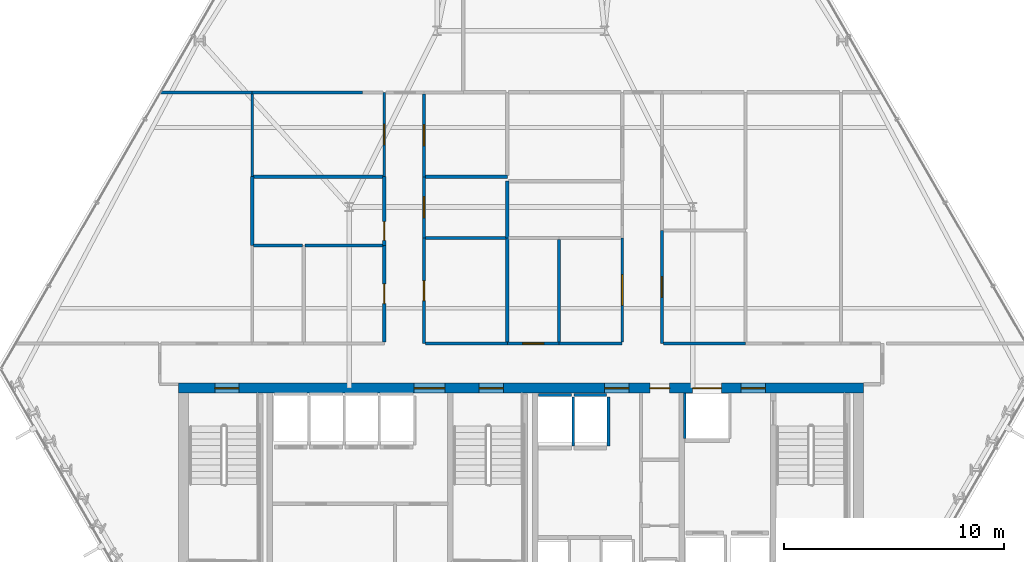
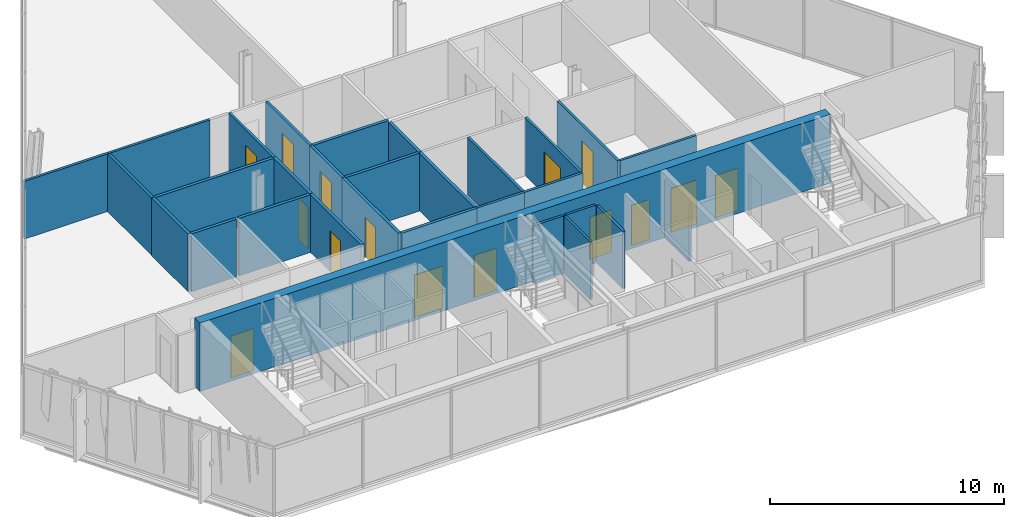
# One storey, part 26 of 32: 30 walls, 16 doors, 16 openings.
"""IFC4 building model written with IfcOpenShell, lengths in metres."""

import ifcopenshell
import ifcopenshell.guid

model = None  # the IFC model being written
_history = None  # IfcOwnerHistory: only IFC2X3 demands one
_inside = {}  # id of a spatial element -> (the spatial element, [elements in it])
_under = {}  # id of a project, library or spatial element -> (it, [spatial elements below it])
_declared = {}  # id of a project -> (the project, [libraries it declares])
_typed = {}  # id of a type object -> (the type object, [elements of that type])
_made_of = {}  # id of a material, layer set ... -> (it, [elements and type objects made of it])


def new_model(schema):
    """Start an empty IFC model of exactly this schema.

    Asked for "IFC4X3", IfcOpenShell would pick the latest addendum, in which some entities
    have other attributes; the version numbers below select the first issue.
    IFC2X3 requires an IfcOwnerHistory on every rooted entity: one is made here for all.
    """
    global model, _history
    if schema == "IFC4X3":
        model = ifcopenshell.file(schema_version=(4, 3, 0, 0))
    else:
        model = ifcopenshell.file(schema=schema)
    _inside.clear()
    _under.clear()
    _declared.clear()
    _typed.clear()
    _made_of.clear()
    _history = None
    if model.schema == "IFC2X3":
        org = make("IfcOrganization", Name="unknown")
        user = make(
            "IfcPersonAndOrganization",
            ThePerson=make("IfcPerson", FamilyName="unknown"),
            TheOrganization=org,
        )
        app = make(
            "IfcApplication",
            ApplicationDeveloper=org,
            Version="unknown",
            ApplicationFullName="unknown",
            ApplicationIdentifier="unknown",
        )
        _history = make(
            "IfcOwnerHistory",
            OwningUser=user,
            OwningApplication=app,
            ChangeAction="ADDED",
            CreationDate=0,
        )
    return model


def make(cls, **values):
    """One entity of the class cls with the attributes given. An attribute that is None is left unset."""
    return model.create_entity(
        cls, **{name: value for name, value in values.items() if value is not None}
    )


def rooted(cls, **values):
    """An entity with a GlobalId (a new one), such as an element, a storey or a relation."""
    return make(cls, GlobalId=ifcopenshell.guid.new(), OwnerHistory=_history, **values)


def si_unit(unit_type, name, prefix=None):
    """IfcSIUnit, for example si_unit("LENGTHUNIT", "METRE", prefix="MILLI")."""
    return make("IfcSIUnit", UnitType=unit_type, Prefix=prefix, Name=name)


def assignment(units):
    """IfcUnitAssignment: the units of a project."""
    return None if units is None else make("IfcUnitAssignment", Units=units)


def point(xyz):
    """IfcCartesianPoint."""
    return None if xyz is None else make("IfcCartesianPoint", Coordinates=xyz)


def direction(xyz):
    """IfcDirection."""
    return None if xyz is None else make("IfcDirection", DirectionRatios=xyz)


def frame(location, z_axis=None, x_axis=None):
    """IfcAxis2Placement3D, a coordinate frame: its origin and axes. An axis left out is left unset."""
    return make(
        "IfcAxis2Placement3D",
        Location=point(location),
        Axis=direction(z_axis),
        RefDirection=direction(x_axis),
    )


def frame_2d(location, x_axis=None):
    """IfcAxis2Placement2D, a coordinate frame in the plane: its origin and x axis."""
    return make(
        "IfcAxis2Placement2D", Location=point(location), RefDirection=direction(x_axis)
    )


def origin():
    """The frame at (0, 0, 0) with its axes left unset."""
    return frame((0.0, 0.0, 0.0))


def place(relative_to, where):
    """IfcLocalPlacement: puts the frame where relative to a parent placement (None: the world)."""
    return make(
        "IfcLocalPlacement", PlacementRelTo=relative_to, RelativePlacement=where
    )


def context(
    kind, dimensions, precision=None, world=None, true_north=None, identifier=None
):
    """IfcGeometricRepresentationContext, for example the 3D "Model" context."""
    return make(
        "IfcGeometricRepresentationContext",
        ContextIdentifier=identifier,
        ContextType=kind,
        CoordinateSpaceDimension=dimensions,
        Precision=precision,
        WorldCoordinateSystem=world,
        TrueNorth=true_north,
    )


def subcontext(parent, identifier, kind, view, scale=None):
    """IfcGeometricRepresentationSubContext, for example "Body" below "Model"."""
    return make(
        "IfcGeometricRepresentationSubContext",
        ContextIdentifier=identifier,
        ContextType=kind,
        ParentContext=parent,
        TargetScale=scale,
        TargetView=view,
    )


def project(units=None, contexts=None):
    """IfcProject with its units and contexts."""
    return rooted(
        "IfcProject",
        Name="project",
        RepresentationContexts=contexts,
        UnitsInContext=assignment(units),
    )


def spatial(cls, under=None, at=None, **own):
    """A site, building, storey or space (cls), placed at a placement, below another one or the project."""
    s = rooted(cls, ObjectPlacement=at, **own)
    if under is not None:
        _under.setdefault(under.id(), (under, []))[1].append(s)
    return s


def profile(cls, at=None, kind="AREA", **sizes):
    """A parametric profile (cls). Its sizes go by their IFC names, for example OverallWidth=200.0."""
    return make(cls, ProfileType=kind, Position=at, **sizes)


def rectangle(**sizes):
    """IfcRectangleProfileDef."""
    return profile("IfcRectangleProfileDef", **sizes)


def extrude(swept, where, along, depth):
    """IfcExtrudedAreaSolid: the profile swept, set in the frame where, extruded along a direction by depth."""
    return make(
        "IfcExtrudedAreaSolid",
        SweptArea=swept,
        Position=where,
        ExtrudedDirection=direction(along),
        Depth=depth,
    )


def shape(context_of_items, identifier, shape_type, items):
    """IfcShapeRepresentation: the items that make up one representation, for example the "Body"."""
    return make(
        "IfcShapeRepresentation",
        ContextOfItems=context_of_items,
        RepresentationIdentifier=identifier,
        RepresentationType=shape_type,
        Items=items,
    )


def material(Name=None, Category=None):
    """IfcMaterial."""
    return make("IfcMaterial", Name=Name, Category=Category)


def layer(
    of_material, thickness, ventilated=None, Name=None, Category=None, Priority=None
):
    """IfcMaterialLayer: one layer of a wall or slab, of a material (None: an air gap)."""
    return make(
        "IfcMaterialLayer",
        Material=of_material,
        LayerThickness=thickness,
        IsVentilated=ventilated,
        Name=Name,
        Category=Category,
        Priority=Priority,
    )


def layer_set(layers, Name=None):
    """IfcMaterialLayerSet."""
    return make("IfcMaterialLayerSet", MaterialLayers=layers, LayerSetName=Name)


def made_of(thing, what):
    """Note that an element or type object is made of a material, layer set ...; save() writes the relation."""
    if what is not None:
        _made_of.setdefault(what.id(), (what, []))[1].append(thing)
    return thing


def type_object(cls, material=None, **own):
    """A type object (cls), such as IfcWallType, which elements share."""
    return made_of(rooted(cls, **own), material)


def element(
    cls,
    number,
    at=None,
    inside=None,
    cuts=None,
    type_object=None,
    material=None,
    context=None,
    identifier="Body",
    shape_type=None,
    held_by="IfcProductDefinitionShape",
    body=None,
    shapes=None,
    **own,
):
    """One element of the class cls, such as IfcWall. Its Tag is "e" and its number.

    at: its placement. inside: the storey or other place that contains it. cuts: it is an
    opening in that element (IfcRelVoidsElement). A single representation is given by context,
    identifier, shape_type and body (its items); several are given by shapes. held_by: the class
    of the entity that holds the representations. save() writes the other relations.
    """
    e = rooted(cls, Tag="e%d" % number, ObjectPlacement=at, **own)
    if body is not None:
        shapes = [shape(context, identifier, shape_type, body)]
    if shapes is not None:
        e.Representation = make(held_by, Representations=shapes)
    if inside is not None:
        _inside.setdefault(inside.id(), (inside, []))[1].append(e)
    if cuts is not None:
        rooted(
            "IfcRelVoidsElement", RelatingBuildingElement=cuts, RelatedOpeningElement=e
        )
    if type_object is not None:
        _typed.setdefault(type_object.id(), (type_object, []))[1].append(e)
    return made_of(e, material)


def fill(opening, filler):
    """IfcRelFillsElement: the door or window that sits in an opening."""
    return rooted(
        "IfcRelFillsElement",
        RelatingOpeningElement=opening,
        RelatedBuildingElement=filler,
    )


def aggregate(whole, parts):
    """IfcRelAggregates: a whole, such as a stair, and the parts it consists of."""
    return rooted("IfcRelAggregates", RelatingObject=whole, RelatedObjects=parts)


def save(model, path):
    """Write the relations noted so far, then the file.

    IfcRelAggregates (storeys below a building ...), IfcRelContainedInSpatialStructure (elements
    in a storey), IfcRelDefinesByType, IfcRelAssociatesMaterial and IfcRelDeclares: one each for
    every whole, place, type object, material and project.
    """
    for whole, parts in _under.values():
        aggregate(whole, parts)
    for where, things in _inside.values():
        rooted(
            "IfcRelContainedInSpatialStructure",
            RelatedElements=things,
            RelatingStructure=where,
        )
    for kind, things in _typed.values():
        rooted("IfcRelDefinesByType", RelatedObjects=things, RelatingType=kind)
    for what, things in _made_of.values():
        rooted("IfcRelAssociatesMaterial", RelatedObjects=things, RelatingMaterial=what)
    for by, libraries in _declared.values():
        rooted("IfcRelDeclares", RelatingContext=by, RelatedDefinitions=libraries)
    model.write(path)


model = new_model("IFC4")

# Units and contexts
model_context = context("Model", 3, precision=1e-05, world=origin(), true_north=direction((0.0, 1.0)))
body_context = subcontext(model_context, "Body", "Model", "MODEL_VIEW")
ifc_project = project(units=[si_unit("LENGTHUNIT", "METRE"), si_unit("AREAUNIT", "SQUARE_METRE"), si_unit("VOLUMEUNIT", "CUBIC_METRE"), si_unit("PLANEANGLEUNIT", "RADIAN"), si_unit("MASSUNIT", "GRAM", prefix="KILO")], contexts=[model_context])

# Site, building, storey
site_placement = place(None, origin())
site = spatial("IfcSite", under=ifc_project, at=site_placement, CompositionType="ELEMENT")
building_placement = place(site_placement, origin())
building = spatial("IfcBuilding", under=site, at=building_placement, Name="Ndaravel Arena Tower", CompositionType="ELEMENT")
storey_placement = place(building_placement, frame((0.0, 0.0, 134.60009765625)))
storey = spatial("IfcBuildingStorey", under=building, at=storey_placement, Name="L31", CompositionType="ELEMENT", Elevation=134.60009765625)

# Wall, openings, doors
ifc_material_1 = material(Name="Concrete C60/75", Category="concrete")
ifc_layer_1 = layer(ifc_material_1, 0.449951171875)
ifc_layer_set_1 = layer_set([ifc_layer_1], Name="Concrete C60/75")
wall_type_1 = type_object("IfcWallType", Name="WALL-CORE-450", PredefinedType="SOLIDWALL", material=ifc_layer_set_1)
wall_1_placement = place(storey_placement, frame((26.449951171875, 14.97509765625, 0.0), z_axis=(0.0, 0.0, 1.0), x_axis=(1.0, 0.0, 0.0)))
wall_1 = element("IfcWall", 1, at=wall_1_placement, inside=storey, type_object=wall_type_1, Name="L31 Core North Shear Wall", PredefinedType="SOLIDWALL", context=body_context, shape_type="SweptSolid", body=[
    extrude(rectangle(XDim=31.10009765625, YDim=0.449951171875, at=frame_2d((15.550048828125, 0.0))), origin(), (0.0, 0.0, 1.0), 3.579833984375),
])
opening_1_placement = place(wall_1_placement, frame((1.64990234375, 0.0, 0.0)))
opening_1 = element("IfcOpeningElement", 2, at=opening_1_placement, cuts=wall_1, Name="Opening FD-01", PredefinedType="OPENING", context=body_context, shape_type="SweptSolid", body=[
    extrude(rectangle(XDim=1.10009765625, YDim=2.199951171875, at=frame_2d((0.550048828125, 1.10009765625))), frame((0.0, 0.22509765625, 0.0), z_axis=(0.0, -1.0, 0.0), x_axis=(1.0, 0.0, 0.0)), (0.0, 0.0, 1.0), 0.449951171875),
])
opening_2_placement = place(wall_1_placement, frame((13.64990234375, 0.0, 0.0)))
opening_2 = element("IfcOpeningElement", 3, at=opening_2_placement, cuts=wall_1, Name="Opening FD-01", PredefinedType="OPENING", context=body_context, shape_type="SweptSolid", body=[
    extrude(rectangle(XDim=1.10009765625, YDim=2.199951171875, at=frame_2d((0.550048828125, 1.10009765625))), frame((0.0, 0.22509765625, 0.0), z_axis=(0.0, -1.0, 0.0), x_axis=(1.0, 0.0, 0.0)), (0.0, 0.0, 1.0), 0.449951171875),
])
opening_3_placement = place(wall_1_placement, frame((25.550048828125, 0.0, 0.0)))
opening_3 = element("IfcOpeningElement", 4, at=opening_3_placement, cuts=wall_1, Name="Opening FD-01", PredefinedType="OPENING", context=body_context, shape_type="SweptSolid", body=[
    extrude(rectangle(XDim=1.10009765625, YDim=2.199951171875, at=frame_2d((0.550048828125, 1.10009765625))), frame((0.0, 0.22509765625, 0.0), z_axis=(0.0, -1.0, 0.0), x_axis=(1.0, 0.0, 0.0)), (0.0, 0.0, 1.0), 0.449951171875),
])
opening_4_placement = place(wall_1_placement, frame((10.699951171875, 0.0, 0.0)))
opening_4 = element("IfcOpeningElement", 5, at=opening_4_placement, cuts=wall_1, Name="Opening ID-02", PredefinedType="OPENING", context=body_context, shape_type="SweptSolid", body=[
    extrude(rectangle(XDim=1.39990234375, YDim=2.199951171875, at=frame_2d((0.699951171875, 1.10009765625))), frame((0.0, 0.22509765625, 0.0), z_axis=(0.0, -1.0, 0.0), x_axis=(1.0, 0.0, 0.0)), (0.0, 0.0, 1.0), 0.449951171875),
])
opening_5_placement = place(wall_1_placement, frame((19.35009765625, 0.0, 0.0)))
opening_5 = element("IfcOpeningElement", 6, at=opening_5_placement, cuts=wall_1, Name="Opening FD-01", PredefinedType="OPENING", context=body_context, shape_type="SweptSolid", body=[
    extrude(rectangle(XDim=1.10009765625, YDim=2.199951171875, at=frame_2d((0.550048828125, 1.10009765625))), frame((0.0, 0.22509765625, 0.0), z_axis=(0.0, -1.0, 0.0), x_axis=(1.0, 0.0, 0.0)), (0.0, 0.0, 1.0), 0.449951171875),
])
opening_6_placement = place(wall_1_placement, frame((21.39990234375, 0.0, 0.0)))
opening_6 = element("IfcOpeningElement", 7, at=opening_6_placement, cuts=wall_1, Name="Opening RD-01", PredefinedType="OPENING", context=body_context, shape_type="SweptSolid", body=[
    extrude(rectangle(XDim=0.89990234375, YDim=2.10009765625, at=frame_2d((0.449951171875, 1.050048828125))), frame((0.0, 0.22509765625, 0.0), z_axis=(0.0, -1.0, 0.0), x_axis=(1.0, 0.0, 0.0)), (0.0, 0.0, 1.0), 0.449951171875),
])
opening_7_placement = place(wall_1_placement, frame((23.35009765625, 0.0, 0.0)))
opening_7 = element("IfcOpeningElement", 8, at=opening_7_placement, cuts=wall_1, Name="Opening LD-02", PredefinedType="OPENING", context=body_context, shape_type="SweptSolid", body=[
    extrude(rectangle(XDim=1.300048828125, YDim=2.300048828125, at=frame_2d((0.64990234375, 1.14990234375))), frame((0.0, 0.22509765625, 0.0), z_axis=(0.0, -1.0, 0.0), x_axis=(1.0, 0.0, 0.0)), (0.0, 0.0, 1.0), 0.449951171875),
])
ifc_material_2 = material(Name="Steel S355", Category="steel")
door_type_1 = type_object("IfcDoorType", Name="DT-01-STAIR-1100", OperationType="SINGLE_SWING_LEFT", PredefinedType="DOOR", material=ifc_material_2)
door_1_placement = place(opening_1_placement, origin())
door_1 = element("IfcDoor", 9, at=door_1_placement, inside=storey, type_object=door_type_1, Name="L31 Exit Stair ST-1 Door", OperationType="SINGLE_SWING_RIGHT", OverallHeight=2.199951171875, OverallWidth=1.10009765625, PredefinedType="DOOR", context=body_context, shape_type="SweptSolid", body=[
    extrude(rectangle(XDim=1.10009765625, YDim=2.199951171875, at=frame_2d((0.550048828125, 1.10009765625))), frame((0.0, 0.02490234375, 0.0), z_axis=(0.0, -1.0, 0.0), x_axis=(1.0, 0.0, 0.0)), (0.0, 0.0, 1.0), 0.050048828125),
])
fill(opening_1, door_1)
door_2_placement = place(opening_2_placement, origin())
door_2 = element("IfcDoor", 10, at=door_2_placement, inside=storey, type_object=door_type_1, Name="L31 Exit Stair ST-2 Door", OperationType="SINGLE_SWING_LEFT", OverallHeight=2.199951171875, OverallWidth=1.10009765625, PredefinedType="DOOR", context=body_context, shape_type="SweptSolid", body=[
    extrude(rectangle(XDim=1.10009765625, YDim=2.199951171875, at=frame_2d((0.550048828125, 1.10009765625))), frame((0.0, 0.02490234375, 0.0), z_axis=(0.0, -1.0, 0.0), x_axis=(1.0, 0.0, 0.0)), (0.0, 0.0, 1.0), 0.050048828125),
])
fill(opening_2, door_2)
door_3_placement = place(opening_3_placement, origin())
door_3 = element("IfcDoor", 11, at=door_3_placement, inside=storey, type_object=door_type_1, Name="L31 Firefighting Lift Lobby Door", OperationType="SINGLE_SWING_RIGHT", OverallHeight=2.199951171875, OverallWidth=1.10009765625, PredefinedType="DOOR", context=body_context, shape_type="SweptSolid", body=[
    extrude(rectangle(XDim=1.10009765625, YDim=2.199951171875, at=frame_2d((0.550048828125, 1.10009765625))), frame((0.0, 0.02490234375, 0.0), z_axis=(0.0, -1.0, 0.0), x_axis=(1.0, 0.0, 0.0)), (0.0, 0.0, 1.0), 0.050048828125),
])
fill(opening_3, door_3)
door_4_placement = place(opening_5_placement, origin())
door_4 = element("IfcDoor", 12, at=door_4_placement, inside=storey, type_object=door_type_1, Name="L31 Express Lift Lobby Entry Door", OperationType="SINGLE_SWING_LEFT", OverallHeight=2.199951171875, OverallWidth=1.10009765625, PredefinedType="DOOR", context=body_context, shape_type="SweptSolid", body=[
    extrude(rectangle(XDim=1.10009765625, YDim=2.199951171875, at=frame_2d((0.550048828125, 1.10009765625))), frame((0.0, 0.02490234375, 0.0), z_axis=(0.0, -1.0, 0.0), x_axis=(1.0, 0.0, 0.0)), (0.0, 0.0, 1.0), 0.050048828125),
])
fill(opening_5, door_4)
ifc_material_3 = material(Name="Timber", Category="wood")
door_type_2 = type_object("IfcDoorType", Name="DT-04-SUITE-1400", OperationType="DOUBLE_DOOR_SINGLE_SWING", PredefinedType="DOOR", material=ifc_material_3)
door_5_placement = place(opening_4_placement, origin())
door_5 = element("IfcDoor", 13, at=door_5_placement, inside=storey, type_object=door_type_2, Name="L31 West Lift Lobby Entry Door", OperationType="DOUBLE_DOOR_SINGLE_SWING", OverallHeight=2.199951171875, OverallWidth=1.39990234375, PredefinedType="DOOR", context=body_context, shape_type="SweptSolid", body=[
    extrude(rectangle(XDim=1.39990234375, YDim=2.199951171875, at=frame_2d((0.699951171875, 1.10009765625))), frame((0.0, 0.02490234375, 0.0), z_axis=(0.0, -1.0, 0.0), x_axis=(1.0, 0.0, 0.0)), (0.0, 0.0, 1.0), 0.050048828125),
])
fill(opening_4, door_5)
ifc_material_4 = material(Name="Steel S355", Category="steel")
door_type_3 = type_object("IfcDoorType", Name="DT-07-SVLIFT-1300", OperationType="DOUBLE_DOOR_SLIDING", PredefinedType="DOOR", material=ifc_material_4)
door_6_placement = place(opening_7_placement, origin())
door_6 = element("IfcDoor", 14, at=door_6_placement, inside=storey, type_object=door_type_3, Name="L31 Lift SVL-1 Sliding Landing Door", OperationType="DOUBLE_DOOR_SLIDING", OverallHeight=2.300048828125, OverallWidth=1.300048828125, PredefinedType="DOOR", context=body_context, shape_type="SweptSolid", body=[
    extrude(rectangle(XDim=1.300048828125, YDim=2.300048828125, at=frame_2d((0.64990234375, 1.14990234375))), frame((0.0, 0.02490234375, 0.0), z_axis=(0.0, -1.0, 0.0), x_axis=(1.0, 0.0, 0.0)), (0.0, 0.0, 1.0), 0.050048828125),
])
fill(opening_7, door_6)
ifc_material_5 = material(Name="Steel S355", Category="steel")
door_type_4 = type_object("IfcDoorType", Name="DT-08-RISER-900", OperationType="SINGLE_SWING_LEFT", PredefinedType="DOOR", material=ifc_material_5)
door_7_placement = place(opening_6_placement, origin())
door_7 = element("IfcDoor", 15, at=door_7_placement, inside=storey, type_object=door_type_4, Name="L31 Core Service Riser North Door", OperationType="SINGLE_SWING_LEFT", OverallHeight=2.10009765625, OverallWidth=0.89990234375, PredefinedType="DOOR", context=body_context, shape_type="SweptSolid", body=[
    extrude(rectangle(XDim=0.89990234375, YDim=2.10009765625, at=frame_2d((0.449951171875, 1.050048828125))), frame((0.0, 0.02490234375, 0.0), z_axis=(0.0, -1.0, 0.0), x_axis=(1.0, 0.0, 0.0)), (0.0, 0.0, 1.0), 0.050048828125),
])
fill(opening_6, door_7)

# Wall, opening, door
ifc_material_6 = material(Name="Gypsum", Category="gypsum")
ifc_layer_2 = layer(ifc_material_6, 0.125)
ifc_layer_set_2 = layer_set([ifc_layer_2], Name="Gypsum")
wall_type_2 = type_object("IfcWallType", Name="WALL-PART-125", PredefinedType="PARTITIONING", material=ifc_layer_set_2)
wall_2_placement = place(storey_placement, frame((35.800048828125, 24.5751953125, 0.0), z_axis=(0.0, 0.0, 1.0), x_axis=(0.0, 1.0, 0.0)))
wall_2 = element("IfcWall", 16, at=wall_2_placement, inside=storey, type_object=wall_type_2, Name="L31 Interior Partition 010", PredefinedType="PARTITIONING", context=body_context, shape_type="SweptSolid", body=[
    extrude(rectangle(XDim=3.82470703125, YDim=0.125, at=frame_2d((1.912353515625, 0.0))), origin(), (0.0, 0.0, 1.0), 3.010498046875),
])
opening_8_placement = place(wall_2_placement, frame((1.437255859375, 0.0, 0.0)))
opening_8 = element("IfcOpeningElement", 17, at=opening_8_placement, cuts=wall_2, Name="Opening ID-01", PredefinedType="OPENING", context=body_context, shape_type="SweptSolid", body=[
    extrude(rectangle(XDim=0.949951171875, YDim=2.199951171875, at=frame_2d((0.47509765625, 1.10009765625))), frame((0.0, 0.0625, 0.0), z_axis=(0.0, -1.0, 0.0), x_axis=(1.0, 0.0, 0.0)), (0.0, 0.0, 1.0), 0.125),
])
ifc_material_7 = material(Name="Timber", Category="wood")
door_type_5 = type_object("IfcDoorType", Name="DT-03-OFFICE-950", OperationType="SINGLE_SWING_LEFT", PredefinedType="DOOR", material=ifc_material_7)
door_8_placement = place(opening_8_placement, origin())
door_8 = element("IfcDoor", 18, at=door_8_placement, inside=storey, type_object=door_type_5, Name="L31 Barista Galley 7 Door", OperationType="SINGLE_SWING_LEFT", OverallHeight=2.199951171875, OverallWidth=0.949951171875, PredefinedType="DOOR", context=body_context, shape_type="SweptSolid", body=[
    extrude(rectangle(XDim=0.949951171875, YDim=2.199951171875, at=frame_2d((0.47509765625, 1.10009765625))), frame((0.0, 0.02490234375, 0.0), z_axis=(0.0, -1.0, 0.0), x_axis=(1.0, 0.0, 0.0)), (0.0, 0.0, 1.0), 0.050048828125),
])
fill(opening_8, door_8)

wall_3_placement = place(storey_placement, frame((37.60009765625, 28.3349609375, 0.0), z_axis=(0.0, 0.0, 1.0), x_axis=(0.0, -1.0, 0.0)))
wall_3 = element("IfcWall", 19, at=wall_3_placement, inside=storey, type_object=wall_type_2, Name="L31 Interior Partition 012", PredefinedType="PARTITIONING", context=body_context, shape_type="SweptSolid", body=[
    extrude(rectangle(XDim=3.77001953125, YDim=0.125, at=frame_2d((1.885009765625, 0.0))), origin(), (0.0, 0.0, 1.0), 3.010498046875),
])
opening_9_placement = place(wall_3_placement, frame((1.409912109375, 0.0, 0.0)))
opening_9 = element("IfcOpeningElement", 20, at=opening_9_placement, cuts=wall_3, Name="Opening ID-01", PredefinedType="OPENING", context=body_context, shape_type="SweptSolid", body=[
    extrude(rectangle(XDim=0.949951171875, YDim=2.199951171875, at=frame_2d((0.47509765625, 1.10009765625))), frame((0.0, 0.0625, 0.0), z_axis=(0.0, -1.0, 0.0), x_axis=(1.0, 0.0, 0.0)), (0.0, 0.0, 1.0), 0.125),
])
door_9_placement = place(opening_9_placement, origin())
door_9 = element("IfcDoor", 21, at=door_9_placement, inside=storey, type_object=door_type_5, Name="L31 Project Seminar Room 7 Door", OperationType="SINGLE_SWING_RIGHT", OverallHeight=2.199951171875, OverallWidth=0.949951171875, PredefinedType="DOOR", context=body_context, shape_type="SweptSolid", body=[
    extrude(rectangle(XDim=0.949951171875, YDim=2.199951171875, at=frame_2d((0.47509765625, 1.10009765625))), frame((0.0, 0.02490234375, 0.0), z_axis=(0.0, -1.0, 0.0), x_axis=(1.0, 0.0, 0.0)), (0.0, 0.0, 1.0), 0.050048828125),
])
fill(opening_9, door_9)

wall_4_placement = place(storey_placement, frame((41.3798828125, 17.0, 0.0), z_axis=(0.0, 0.0, 1.0), x_axis=(1.0, 0.0, 0.0)))
wall_4 = element("IfcWall", 22, at=wall_4_placement, inside=storey, type_object=wall_type_2, Name="L31 Interior Partition 016", PredefinedType="PARTITIONING", context=body_context, shape_type="SweptSolid", body=[
    extrude(rectangle(XDim=2.34912109375, YDim=0.125, at=frame_2d((1.174560546875, 0.0))), origin(), (0.0, 0.0, 1.0), 3.010498046875),
])
opening_10_placement = place(wall_4_placement, frame((0.699462890625, 0.0, 0.0)))
opening_10 = element("IfcOpeningElement", 23, at=opening_10_placement, cuts=wall_4, Name="Opening ID-01", PredefinedType="OPENING", context=body_context, shape_type="SweptSolid", body=[
    extrude(rectangle(XDim=0.949951171875, YDim=2.199951171875, at=frame_2d((0.47509765625, 1.10009765625))), frame((0.0, 0.0625, 0.0), z_axis=(0.0, -1.0, 0.0), x_axis=(1.0, 0.0, 0.0)), (0.0, 0.0, 1.0), 0.125),
])
door_10_placement = place(opening_10_placement, origin())
door_10 = element("IfcDoor", 24, at=door_10_placement, inside=storey, type_object=door_type_5, Name="L31 Open Plan Workplace Door", OperationType="SINGLE_SWING_LEFT", OverallHeight=2.199951171875, OverallWidth=0.949951171875, PredefinedType="DOOR", context=body_context, shape_type="SweptSolid", body=[
    extrude(rectangle(XDim=0.949951171875, YDim=2.199951171875, at=frame_2d((0.47509765625, 1.10009765625))), frame((0.0, 0.02490234375, 0.0), z_axis=(0.0, -1.0, 0.0), x_axis=(1.0, 0.0, 0.0)), (0.0, 0.0, 1.0), 0.050048828125),
])
fill(opening_10, door_10)

# Wall
wall_5_placement = place(storey_placement, frame((43.72900390625, 17.0, 0.0), z_axis=(0.0, 0.0, 1.0), x_axis=(1.0, 0.0, 0.0)))
element("IfcWall", 25, at=wall_5_placement, inside=storey, type_object=wall_type_2, Name="L31 Interior Partition 017", PredefinedType="PARTITIONING", context=body_context, shape_type="SweptSolid", body=[
    extrude(rectangle(XDim=2.87109375, YDim=0.125, at=frame_2d((1.435546875, 0.0))), origin(), (0.0, 0.0, 1.0), 3.010498046875),
])

# Wall, opening, door
wall_6_placement = place(storey_placement, frame((46.60009765625, 17.06494140625, 0.0), z_axis=(0.0, 0.0, 1.0), x_axis=(0.0, 1.0, 0.0)))
wall_6 = element("IfcWall", 26, at=wall_6_placement, inside=storey, type_object=wall_type_2, Name="L31 Interior Partition 018", PredefinedType="PARTITIONING", context=body_context, shape_type="SweptSolid", body=[
    extrude(rectangle(XDim=4.72314453125, YDim=0.125, at=frame_2d((2.361572265625, 0.0))), origin(), (0.0, 0.0, 1.0), 3.010498046875),
])
opening_11_placement = place(wall_6_placement, frame((1.66162109375, 0.0, 0.0)))
opening_11 = element("IfcOpeningElement", 27, at=opening_11_placement, cuts=wall_6, Name="Opening ID-02", PredefinedType="OPENING", context=body_context, shape_type="SweptSolid", body=[
    extrude(rectangle(XDim=1.39990234375, YDim=2.199951171875, at=frame_2d((0.699951171875, 1.10009765625))), frame((0.0, 0.0625, 0.0), z_axis=(0.0, -1.0, 0.0), x_axis=(1.0, 0.0, 0.0)), (0.0, 0.0, 1.0), 0.125),
])
door_11_placement = place(opening_11_placement, origin())
door_11 = element("IfcDoor", 28, at=door_11_placement, inside=storey, type_object=door_type_2, Name="L31 Client Conference Room 2 Door", OperationType="SINGLE_SWING_RIGHT", OverallHeight=2.199951171875, OverallWidth=1.39990234375, PredefinedType="DOOR", context=body_context, shape_type="SweptSolid", body=[
    extrude(rectangle(XDim=1.39990234375, YDim=2.199951171875, at=frame_2d((0.699951171875, 1.10009765625))), frame((0.0, 0.02490234375, 0.0), z_axis=(0.0, -1.0, 0.0), x_axis=(1.0, 0.0, 0.0)), (0.0, 0.0, 1.0), 0.050048828125),
])
fill(opening_11, door_11)

wall_7_placement = place(storey_placement, frame((48.39990234375, 22.1298828125, 0.0), z_axis=(0.0, 0.0, 1.0), x_axis=(0.0, -1.0, 0.0)))
wall_7 = element("IfcWall", 29, at=wall_7_placement, inside=storey, type_object=wall_type_2, Name="L31 Interior Partition 023", PredefinedType="PARTITIONING", context=body_context, shape_type="SweptSolid", body=[
    extrude(rectangle(XDim=5.1298828125, YDim=0.125, at=frame_2d((2.56494140625, 0.0))), origin(), (0.0, 0.0, 1.0), 3.010498046875),
])
opening_12_placement = place(wall_7_placement, frame((2.090087890625, 0.0, 0.0)))
opening_12 = element("IfcOpeningElement", 30, at=opening_12_placement, cuts=wall_7, Name="Opening ID-01", PredefinedType="OPENING", context=body_context, shape_type="SweptSolid", body=[
    extrude(rectangle(XDim=0.949951171875, YDim=2.199951171875, at=frame_2d((0.47509765625, 1.10009765625))), frame((0.0, 0.0625, 0.0), z_axis=(0.0, -1.0, 0.0), x_axis=(1.0, 0.0, 0.0)), (0.0, 0.0, 1.0), 0.125),
])
door_12_placement = place(opening_12_placement, origin())
door_12 = element("IfcDoor", 31, at=door_12_placement, inside=storey, type_object=door_type_5, Name="L31 Project Seminar Room 3 Door", OperationType="SINGLE_SWING_LEFT", OverallHeight=2.199951171875, OverallWidth=0.949951171875, PredefinedType="DOOR", context=body_context, shape_type="SweptSolid", body=[
    extrude(rectangle(XDim=0.949951171875, YDim=2.199951171875, at=frame_2d((0.47509765625, 1.10009765625))), frame((0.0, 0.02490234375, 0.0), z_axis=(0.0, -1.0, 0.0), x_axis=(1.0, 0.0, 0.0)), (0.0, 0.0, 1.0), 0.050048828125),
])
fill(opening_12, door_12)

# Walls
wall_8_placement = place(storey_placement, frame((48.465087890625, 17.0, 0.0), z_axis=(0.0, 0.0, 1.0), x_axis=(1.0, 0.0, 0.0)))
element("IfcWall", 32, at=wall_8_placement, inside=storey, type_object=wall_type_2, Name="L31 Interior Partition 024", PredefinedType="PARTITIONING", context=body_context, shape_type="SweptSolid", body=[
    extrude(rectangle(XDim=3.73486328125, YDim=0.125, at=frame_2d((1.867431640625, 0.0))), origin(), (0.0, 0.0, 1.0), 3.010498046875),
])
wall_9_placement = place(storey_placement, frame((43.72900390625, 21.722900390625, 0.0), z_axis=(0.0, 0.0, 1.0), x_axis=(0.0, -1.0, 0.0)))
element("IfcWall", 33, at=wall_9_placement, inside=storey, type_object=wall_type_2, Name="L31 Interior Partition 037", PredefinedType="PARTITIONING", context=body_context, shape_type="SweptSolid", body=[
    extrude(rectangle(XDim=4.657958984375, YDim=0.125, at=frame_2d((2.3291015625, 0.0))), origin(), (0.0, 0.0, 1.0), 3.010498046875),
])
wall_10_placement = place(storey_placement, frame((25.639404296875, 28.39990234375, 0.0), z_axis=(0.0, 0.0, 1.0), x_axis=(1.0, 0.0, 0.0)))
element("IfcWall", 34, at=wall_10_placement, inside=storey, type_object=wall_type_2, Name="L31 Interior Partition 043", PredefinedType="PARTITIONING", context=body_context, shape_type="SweptSolid", body=[
    extrude(rectangle(XDim=4.16064453125, YDim=0.125, at=frame_2d((2.080322265625, 0.0))), origin(), (0.0, 0.0, 1.0), 3.010498046875),
])
wall_11_placement = place(storey_placement, frame((29.800048828125, 28.3349609375, 0.0), z_axis=(0.0, 0.0, 1.0), x_axis=(0.0, -1.0, 0.0)))
element("IfcWall", 35, at=wall_11_placement, inside=storey, type_object=wall_type_2, Name="L31 Interior Partition 044", PredefinedType="PARTITIONING", context=body_context, shape_type="SweptSolid", body=[
    extrude(rectangle(XDim=3.759765625, YDim=0.125, at=frame_2d((1.8798828125, 0.0))), origin(), (0.0, 0.0, 1.0), 3.010498046875),
])
wall_12_placement = place(storey_placement, frame((29.800048828125, 28.39990234375, 0.0), z_axis=(0.0, 0.0, 1.0), x_axis=(1.0, 0.0, 0.0)))
element("IfcWall", 36, at=wall_12_placement, inside=storey, type_object=wall_type_2, Name="L31 Interior Partition 059", PredefinedType="PARTITIONING", context=body_context, shape_type="SweptSolid", body=[
    extrude(rectangle(XDim=5.0, YDim=0.125, at=frame_2d((2.5, 0.0))), origin(), (0.0, 0.0, 1.0), 3.010498046875),
])
ifc_material_8 = material(Name="Concrete C40/50", Category="concrete")
ifc_layer_3 = layer(ifc_material_8, 0.1201171875)
ifc_layer_set_3 = layer_set([ifc_layer_3], Name="Concrete C40/50")
wall_type_3 = type_object("IfcWallType", Name="WALL-SHAFT-120", PredefinedType="SOLIDWALL", material=ifc_layer_set_3)
wall_13_placement = place(storey_placement, frame((42.804931640625, 14.659912109375, 0.0), z_axis=(0.0, 0.0, 1.0), x_axis=(1.0, 0.0, 0.0)))
element("IfcWall", 37, at=wall_13_placement, inside=storey, type_object=wall_type_3, Name="L31 PL-OBS1 Shaft Rear Wall", PredefinedType="SOLIDWALL", context=body_context, shape_type="SweptSolid", body=[
    extrude(rectangle(XDim=1.489990234375, YDim=0.1201171875, at=frame_2d((0.7451171875, 0.0))), origin(), (0.0, 0.0, 1.0), 3.010498046875),
])
wall_14_placement = place(storey_placement, frame((44.375, 12.340087890625, 0.0), z_axis=(0.0, 0.0, 1.0), x_axis=(0.0, 1.0, 0.0)))
element("IfcWall", 38, at=wall_14_placement, inside=storey, type_object=wall_type_3, Name="L31 PL-OBS1 Shaft Side R Wall", PredefinedType="SOLIDWALL", context=body_context, shape_type="SweptSolid", body=[
    extrude(rectangle(XDim=2.22998046875, YDim=0.1201171875, at=frame_2d((1.114990234375, 0.0))), origin(), (0.0, 0.0, 1.0), 3.010498046875),
])
wall_15_placement = place(storey_placement, frame((44.405029296875, 14.659912109375, 0.0), z_axis=(0.0, 0.0, 1.0), x_axis=(1.0, 0.0, 0.0)))
element("IfcWall", 39, at=wall_15_placement, inside=storey, type_object=wall_type_3, Name="L31 PL-OBS2 Shaft Rear Wall", PredefinedType="SOLIDWALL", context=body_context, shape_type="SweptSolid", body=[
    extrude(rectangle(XDim=1.489990234375, YDim=0.1201171875, at=frame_2d((0.7451171875, 0.0))), origin(), (0.0, 0.0, 1.0), 3.010498046875),
])
wall_16_placement = place(storey_placement, frame((45.97509765625, 12.340087890625, 0.0), z_axis=(0.0, 0.0, 1.0), x_axis=(0.0, 1.0, 0.0)))
element("IfcWall", 40, at=wall_16_placement, inside=storey, type_object=wall_type_3, Name="L31 PL-OBS2 Shaft Side R Wall", PredefinedType="SOLIDWALL", context=body_context, shape_type="SweptSolid", body=[
    extrude(rectangle(XDim=2.22998046875, YDim=0.1201171875, at=frame_2d((1.114990234375, 0.0))), origin(), (0.0, 0.0, 1.0), 3.010498046875),
])
wall_17_placement = place(storey_placement, frame((49.43994140625, 12.68994140625, 0.0), z_axis=(0.0, 0.0, 1.0), x_axis=(0.0, 1.0, 0.0)))
element("IfcWall", 41, at=wall_17_placement, inside=storey, type_object=wall_type_3, Name="L31 SVL-1 Shaft W Wall", PredefinedType="SOLIDWALL", context=body_context, shape_type="SweptSolid", body=[
    extrude(rectangle(XDim=2.070068359375, YDim=0.1201171875, at=frame_2d((1.03515625, 0.0))), origin(), (0.0, 0.0, 1.0), 3.010498046875),
])

# Wall, opening, door
ifc_material_9 = material(Name="Masonry", Category="masonry")
ifc_layer_4 = layer(ifc_material_9, 0.14990234375)
ifc_layer_set_4 = layer_set([ifc_layer_4], Name="Masonry")
wall_type_4 = type_object("IfcWallType", Name="WALL-WET-150", PredefinedType="PARTITIONING", material=ifc_layer_set_4)
wall_18_placement = place(storey_placement, frame((35.800048828125, 17.06494140625, 0.0), z_axis=(0.0, 0.0, 1.0), x_axis=(0.0, 1.0, 0.0)))
wall_18 = element("IfcWall", 42, at=wall_18_placement, inside=storey, type_object=wall_type_4, Name="L31 Interior Partition 008", PredefinedType="PARTITIONING", context=body_context, shape_type="SweptSolid", body=[
    extrude(rectangle(XDim=4.381103515625, YDim=0.14990234375, at=frame_2d((2.1904296875, 0.0))), origin(), (0.0, 0.0, 1.0), 3.010498046875),
])
opening_13_placement = place(wall_18_placement, frame((1.740478515625, 0.0, 0.0)))
opening_13 = element("IfcOpeningElement", 43, at=opening_13_placement, cuts=wall_18, Name="Opening WD-01", PredefinedType="OPENING", context=body_context, shape_type="SweptSolid", body=[
    extrude(rectangle(XDim=0.89990234375, YDim=2.14990234375, at=frame_2d((0.449951171875, 1.074951171875))), frame((0.0, 0.074951171875, 0.0), z_axis=(0.0, -1.0, 0.0), x_axis=(1.0, 0.0, 0.0)), (0.0, 0.0, 1.0), 0.14990234375),
])
ifc_material_10 = material(Name="Timber", Category="wood")
door_type_6 = type_object("IfcDoorType", Name="DT-05-WC-900", OperationType="SINGLE_SWING_LEFT", PredefinedType="DOOR", material=ifc_material_10)
door_13_placement = place(opening_13_placement, origin())
door_13 = element("IfcDoor", 44, at=door_13_placement, inside=storey, type_object=door_type_6, Name="L31 Male Staff & Visitor Restroom Door", OperationType="SINGLE_SWING_LEFT", OverallHeight=2.14990234375, OverallWidth=0.89990234375, PredefinedType="DOOR", context=body_context, shape_type="SweptSolid", body=[
    extrude(rectangle(XDim=0.89990234375, YDim=2.14990234375, at=frame_2d((0.449951171875, 1.074951171875))), frame((0.0, 0.02490234375, 0.0), z_axis=(0.0, -1.0, 0.0), x_axis=(1.0, 0.0, 0.0)), (0.0, 0.0, 1.0), 0.050048828125),
])
fill(opening_13, door_13)

wall_19_placement = place(storey_placement, frame((35.800048828125, 21.446044921875, 0.0), z_axis=(0.0, 0.0, 1.0), x_axis=(0.0, 1.0, 0.0)))
wall_19 = element("IfcWall", 45, at=wall_19_placement, inside=storey, type_object=wall_type_4, Name="L31 Interior Partition 009", PredefinedType="PARTITIONING", context=body_context, shape_type="SweptSolid", body=[
    extrude(rectangle(XDim=3.129150390625, YDim=0.14990234375, at=frame_2d((1.564453125, 0.0))), origin(), (0.0, 0.0, 1.0), 3.010498046875),
])
opening_14_placement = place(wall_19_placement, frame((0.239501953125, 0.0, 0.0)))
opening_14 = element("IfcOpeningElement", 46, at=opening_14_placement, cuts=wall_19, Name="Opening ID-03", PredefinedType="OPENING", context=body_context, shape_type="SweptSolid", body=[
    extrude(rectangle(XDim=0.85009765625, YDim=2.14990234375, at=frame_2d((0.425048828125, 1.074951171875))), frame((0.0, 0.074951171875, 0.0), z_axis=(0.0, -1.0, 0.0), x_axis=(1.0, 0.0, 0.0)), (0.0, 0.0, 1.0), 0.14990234375),
])
ifc_material_11 = material(Name="Timber", Category="wood")
door_type_7 = type_object("IfcDoorType", Name="DT-12-SUB-850", OperationType="SINGLE_SWING_LEFT", PredefinedType="DOOR", material=ifc_material_11)
door_14_placement = place(opening_14_placement, origin())
door_14 = element("IfcDoor", 47, at=door_14_placement, inside=storey, type_object=door_type_7, Name="L31 Floor Servery Kitchen 4 Door", OperationType="SINGLE_SWING_LEFT", OverallHeight=2.14990234375, OverallWidth=0.85009765625, PredefinedType="DOOR", context=body_context, shape_type="SweptSolid", body=[
    extrude(rectangle(XDim=0.85009765625, YDim=2.14990234375, at=frame_2d((0.425048828125, 1.074951171875))), frame((0.0, 0.02490234375, 0.0), z_axis=(0.0, -1.0, 0.0), x_axis=(1.0, 0.0, 0.0)), (0.0, 0.0, 1.0), 0.050048828125),
])
fill(opening_14, door_14)

wall_20_placement = place(storey_placement, frame((37.60009765625, 24.56494140625, 0.0), z_axis=(0.0, 0.0, 1.0), x_axis=(0.0, -1.0, 0.0)))
wall_20 = element("IfcWall", 48, at=wall_20_placement, inside=storey, type_object=wall_type_4, Name="L31 Interior Partition 013", PredefinedType="PARTITIONING", context=body_context, shape_type="SweptSolid", body=[
    extrude(rectangle(XDim=2.77685546875, YDim=0.14990234375, at=frame_2d((1.388427734375, 0.0))), origin(), (0.0, 0.0, 1.0), 3.010498046875),
])
opening_15_placement = place(wall_20_placement, frame((0.91357421875, 0.0, 0.0)))
opening_15 = element("IfcOpeningElement", 49, at=opening_15_placement, cuts=wall_20, Name="Opening FD-03", PredefinedType="OPENING", context=body_context, shape_type="SweptSolid", body=[
    extrude(rectangle(XDim=0.949951171875, YDim=2.199951171875, at=frame_2d((0.47509765625, 1.10009765625))), frame((0.0, 0.074951171875, 0.0), z_axis=(0.0, -1.0, 0.0), x_axis=(1.0, 0.0, 0.0)), (0.0, 0.0, 1.0), 0.14990234375),
])
ifc_material_12 = material(Name="Steel S355", Category="steel")
door_type_8 = type_object("IfcDoorType", Name="DT-11-CORE-950", OperationType="SINGLE_SWING_LEFT", PredefinedType="DOOR", material=ifc_material_12)
door_15_placement = place(opening_15_placement, origin())
door_15 = element("IfcDoor", 50, at=door_15_placement, inside=storey, type_object=door_type_8, Name="L31 Staff Espresso Kitchen 5 Door", OperationType="SINGLE_SWING_LEFT", OverallHeight=2.199951171875, OverallWidth=0.949951171875, PredefinedType="DOOR", context=body_context, shape_type="SweptSolid", body=[
    extrude(rectangle(XDim=0.949951171875, YDim=2.199951171875, at=frame_2d((0.47509765625, 1.10009765625))), frame((0.0, 0.02490234375, 0.0), z_axis=(0.0, -1.0, 0.0), x_axis=(1.0, 0.0, 0.0)), (0.0, 0.0, 1.0), 0.050048828125),
])
fill(opening_15, door_15)

wall_21_placement = place(storey_placement, frame((37.60009765625, 21.7880859375, 0.0), z_axis=(0.0, 0.0, 1.0), x_axis=(0.0, -1.0, 0.0)))
wall_21 = element("IfcWall", 51, at=wall_21_placement, inside=storey, type_object=wall_type_4, Name="L31 Interior Partition 014", PredefinedType="PARTITIONING", context=body_context, shape_type="SweptSolid", body=[
    extrude(rectangle(XDim=4.7880859375, YDim=0.14990234375, at=frame_2d((2.39404296875, 0.0))), origin(), (0.0, 0.0, 1.0), 3.010498046875),
])
opening_16_placement = place(wall_21_placement, frame((1.944091796875, 0.0, 0.0)))
opening_16 = element("IfcOpeningElement", 52, at=opening_16_placement, cuts=wall_21, Name="Opening WD-01", PredefinedType="OPENING", context=body_context, shape_type="SweptSolid", body=[
    extrude(rectangle(XDim=0.89990234375, YDim=2.14990234375, at=frame_2d((0.449951171875, 1.074951171875))), frame((0.0, 0.074951171875, 0.0), z_axis=(0.0, -1.0, 0.0), x_axis=(1.0, 0.0, 0.0)), (0.0, 0.0, 1.0), 0.14990234375),
])
door_16_placement = place(opening_16_placement, origin())
door_16 = element("IfcDoor", 53, at=door_16_placement, inside=storey, type_object=door_type_6, Name="L31 Female & Accessible Restroom Door", OperationType="SINGLE_SWING_RIGHT", OverallHeight=2.14990234375, OverallWidth=0.89990234375, PredefinedType="DOOR", context=body_context, shape_type="SweptSolid", body=[
    extrude(rectangle(XDim=0.89990234375, YDim=2.14990234375, at=frame_2d((0.449951171875, 1.074951171875))), frame((0.0, 0.02490234375, 0.0), z_axis=(0.0, -1.0, 0.0), x_axis=(1.0, 0.0, 0.0)), (0.0, 0.0, 1.0), 0.050048828125),
])
fill(opening_16, door_16)

# Walls
wall_22_placement = place(storey_placement, frame((37.6650390625, 17.0, 0.0), z_axis=(0.0, 0.0, 1.0), x_axis=(1.0, 0.0, 0.0)))
element("IfcWall", 54, at=wall_22_placement, inside=storey, type_object=wall_type_4, Name="L31 Interior Partition 015", PredefinedType="PARTITIONING", context=body_context, shape_type="SweptSolid", body=[
    extrude(rectangle(XDim=3.71484375, YDim=0.14990234375, at=frame_2d((1.857421875, 0.0))), origin(), (0.0, 0.0, 1.0), 3.010498046875),
])
wall_23_placement = place(storey_placement, frame((29.864990234375, 21.446044921875, 0.0), z_axis=(0.0, 0.0, 1.0), x_axis=(1.0, 0.0, 0.0)))
element("IfcWall", 55, at=wall_23_placement, inside=storey, type_object=wall_type_4, Name="L31 Interior Partition 032", PredefinedType="PARTITIONING", context=body_context, shape_type="SweptSolid", body=[
    extrude(rectangle(XDim=2.2099609375, YDim=0.14990234375, at=frame_2d((1.10498046875, 0.0))), origin(), (0.0, 0.0, 1.0), 3.010498046875),
])
wall_24_placement = place(storey_placement, frame((32.205078125, 21.446044921875, 0.0), z_axis=(0.0, 0.0, 1.0), x_axis=(1.0, 0.0, 0.0)))
element("IfcWall", 56, at=wall_24_placement, inside=storey, type_object=wall_type_4, Name="L31 Interior Partition 033", PredefinedType="PARTITIONING", context=body_context, shape_type="SweptSolid", body=[
    extrude(rectangle(XDim=3.530029296875, YDim=0.14990234375, at=frame_2d((1.76513671875, 0.0))), origin(), (0.0, 0.0, 1.0), 3.010498046875),
])
wall_25_placement = place(storey_placement, frame((41.3798828125, 21.7880859375, 0.0), z_axis=(0.0, 0.0, 1.0), x_axis=(0.0, -1.0, 0.0)))
element("IfcWall", 57, at=wall_25_placement, inside=storey, type_object=wall_type_4, Name="L31 Interior Partition 034", PredefinedType="PARTITIONING", context=body_context, shape_type="SweptSolid", body=[
    extrude(rectangle(XDim=4.72314453125, YDim=0.14990234375, at=frame_2d((2.361572265625, 0.0))), origin(), (0.0, 0.0, 1.0), 3.010498046875),
])
wall_26_placement = place(storey_placement, frame((37.6650390625, 21.7880859375, 0.0), z_axis=(0.0, 0.0, 1.0), x_axis=(1.0, 0.0, 0.0)))
element("IfcWall", 58, at=wall_26_placement, inside=storey, type_object=wall_type_4, Name="L31 Interior Partition 035", PredefinedType="PARTITIONING", context=body_context, shape_type="SweptSolid", body=[
    extrude(rectangle(XDim=3.64990234375, YDim=0.14990234375, at=frame_2d((1.824951171875, 0.0))), origin(), (0.0, 0.0, 1.0), 3.010498046875),
])
wall_27_placement = place(storey_placement, frame((29.800048828125, 24.5751953125, 0.0), z_axis=(0.0, 0.0, 1.0), x_axis=(0.0, -1.0, 0.0)))
element("IfcWall", 59, at=wall_27_placement, inside=storey, type_object=wall_type_4, Name="L31 Interior Partition 045", PredefinedType="PARTITIONING", context=body_context, shape_type="SweptSolid", body=[
    extrude(rectangle(XDim=3.129150390625, YDim=0.14990234375, at=frame_2d((1.564453125, 0.0))), origin(), (0.0, 0.0, 1.0), 3.010498046875),
])
wall_28_placement = place(storey_placement, frame((29.864990234375, 24.5751953125, 0.0), z_axis=(0.0, 0.0, 1.0), x_axis=(1.0, 0.0, 0.0)))
element("IfcWall", 60, at=wall_28_placement, inside=storey, type_object=wall_type_4, Name="L31 Interior Partition 048", PredefinedType="PARTITIONING", context=body_context, shape_type="SweptSolid", body=[
    extrude(rectangle(XDim=5.8701171875, YDim=0.14990234375, at=frame_2d((2.93505859375, 0.0))), origin(), (0.0, 0.0, 1.0), 3.010498046875),
])
wall_29_placement = place(storey_placement, frame((41.3798828125, 21.7880859375, 0.0), z_axis=(0.0, 0.0, 1.0), x_axis=(0.0, 1.0, 0.0)))
element("IfcWall", 61, at=wall_29_placement, inside=storey, type_object=wall_type_4, Name="L31 Interior Partition 049", PredefinedType="PARTITIONING", context=body_context, shape_type="SweptSolid", body=[
    extrude(rectangle(XDim=2.57861328125, YDim=0.14990234375, at=frame_2d((1.289306640625, 0.0))), origin(), (0.0, 0.0, 1.0), 3.010498046875),
])
wall_30_placement = place(storey_placement, frame((37.6650390625, 24.56494140625, 0.0), z_axis=(0.0, 0.0, 1.0), x_axis=(1.0, 0.0, 0.0)))
element("IfcWall", 62, at=wall_30_placement, inside=storey, type_object=wall_type_4, Name="L31 Interior Partition 051", PredefinedType="PARTITIONING", context=body_context, shape_type="SweptSolid", body=[
    extrude(rectangle(XDim=3.71484375, YDim=0.14990234375, at=frame_2d((1.857421875, 0.0))), origin(), (0.0, 0.0, 1.0), 3.010498046875),
])

save(model, "model.ifc")
